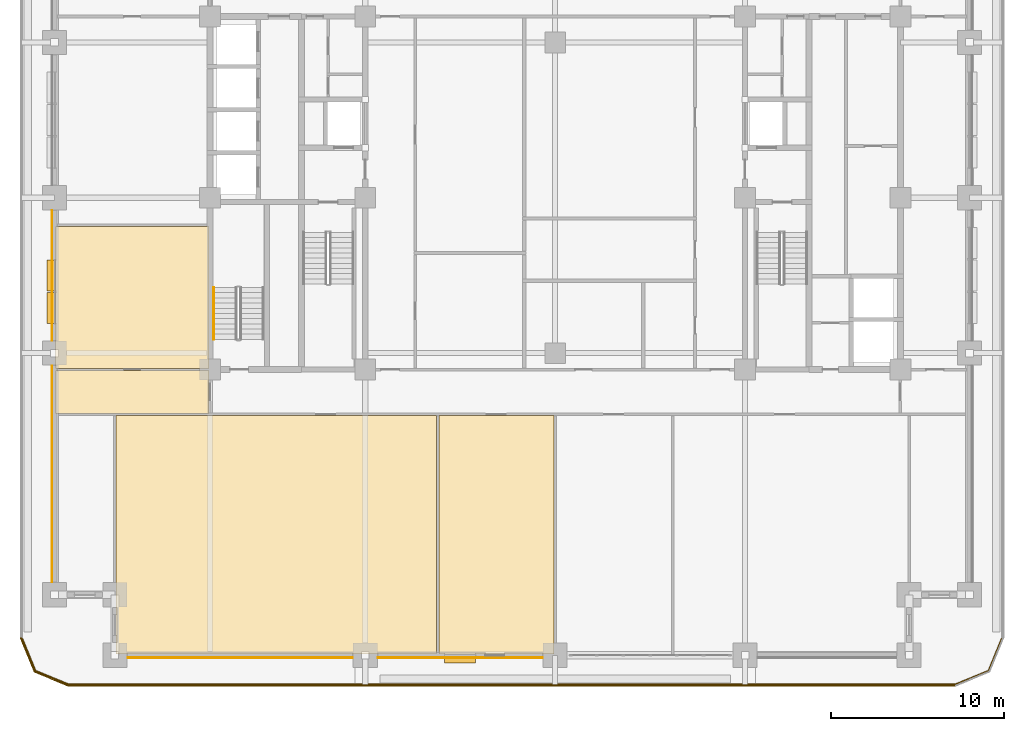
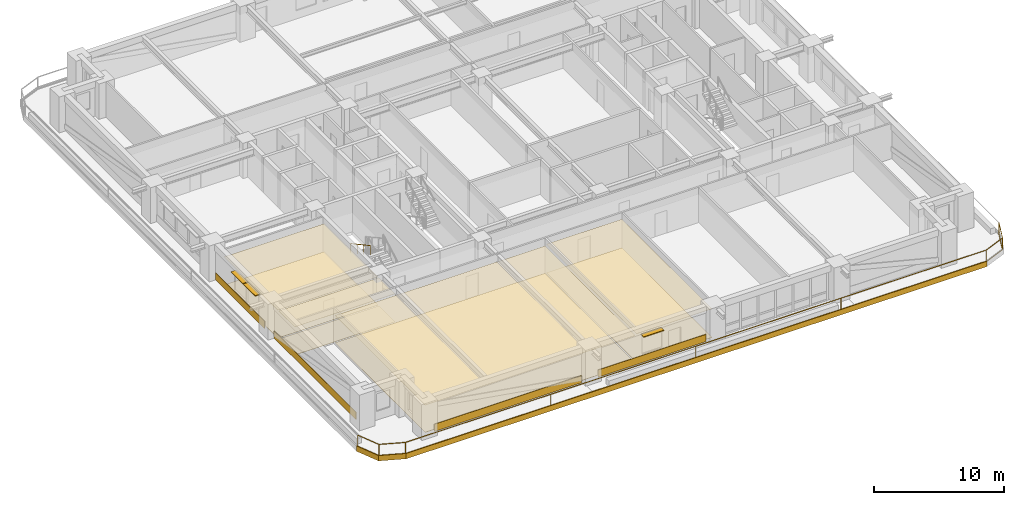
# One storey, part 13 of 20: 15 coverings, 3 shading devices, 2 railings.
"""IFC4 building model written with IfcOpenShell, lengths in metres."""

from ifc_helpers import new_model, si_unit, direction, frame, frame_2d, origin, origin_2d, place, context, subcontext, project, spatial, polyline, rectangle, outline, extrude, material, layer, layer_set, type_object, element, save


model = new_model("IFC4")

# Units and contexts
model_context = context("Model", 3, precision=1e-05, world=origin(), true_north=direction((0.0, 1.0)))
body_context = subcontext(model_context, "Body", "Model", "MODEL_VIEW")
ifc_project = project(units=[si_unit("LENGTHUNIT", "METRE"), si_unit("AREAUNIT", "SQUARE_METRE"), si_unit("VOLUMEUNIT", "CUBIC_METRE"), si_unit("PLANEANGLEUNIT", "RADIAN"), si_unit("MASSUNIT", "GRAM", prefix="KILO")], contexts=[model_context])

# Site, building, storey
site_placement = place(None, origin())
site = spatial("IfcSite", under=ifc_project, at=site_placement, CompositionType="ELEMENT")
building_placement = place(site_placement, origin())
building = spatial("IfcBuilding", under=site, at=building_placement, Name="Zulmaris Gate Convention Tower", CompositionType="ELEMENT")
storey_placement = place(building_placement, frame((0.0, 0.0, 71.469970703125)))
storey = spatial("IfcBuildingStorey", under=building, at=storey_placement, Name="L17", CompositionType="ELEMENT", Elevation=71.469970703125)

# Coverings
ifc_material_1 = material(Name="Precast concrete C40/50", Category="concrete")
ifc_layer_1 = layer(ifc_material_1, 0.0400390625, Name="Precast concrete C40/50")
ifc_layer_set_1 = layer_set([ifc_layer_1], Name="Precast concrete C40/50")
covering_type_1 = type_object("IfcCoveringType", Name="CLAD-SPANDREL-PRECAST", PredefinedType="CLADDING", material=ifc_layer_set_1)
covering_1_placement = place(storey_placement, frame((-24.77001953125, -26.64990234375, 0.0), z_axis=(0.0, 0.0, 1.0), x_axis=(1.0, 0.0, 0.0)))
element("IfcCovering", 1, at=covering_1_placement, inside=storey, type_object=covering_type_1, Name="CLD-L17-S-0_0", PredefinedType="CLADDING", context=body_context, shape_type="SweptSolid", body=[
    extrude(rectangle(XDim=13.0400390625, YDim=0.0400390625, at=frame_2d((6.52001953125, 0.0))), origin(), (0.0, 0.0, 1.0), 0.679931640625),
])
covering_2_placement = place(storey_placement, frame((-10.27001953125, -26.64990234375, 0.0), z_axis=(0.0, 0.0, 1.0), x_axis=(1.0, 0.0, 0.0)))
element("IfcCovering", 2, at=covering_2_placement, inside=storey, type_object=covering_type_1, Name="CLD-L17-S-1_0", PredefinedType="CLADDING", context=body_context, shape_type="SweptSolid", body=[
    extrude(rectangle(XDim=9.5400390625, YDim=0.0400390625, at=frame_2d((4.77001953125, 0.0))), origin(), (0.0, 0.0, 1.0), 0.679931640625),
])
covering_3_placement = place(storey_placement, frame((-29.14990234375, -9.72998046875, 0.0), z_axis=(0.0, 0.0, 1.0), x_axis=(0.0, -1.0, 0.0)))
element("IfcCovering", 3, at=covering_3_placement, inside=storey, type_object=covering_type_1, Name="CLD-L17-W-0_0", PredefinedType="CLADDING", context=body_context, shape_type="SweptSolid", body=[
    extrude(rectangle(XDim=12.5400390625, YDim=0.0400390625, at=frame_2d((6.27001953125, 0.0))), origin(), (0.0, 0.0, 1.0), 0.679931640625),
])
covering_4_placement = place(storey_placement, frame((-29.14990234375, -0.72998046875, 0.0), z_axis=(0.0, 0.0, 1.0), x_axis=(0.0, -1.0, 0.0)))
element("IfcCovering", 4, at=covering_4_placement, inside=storey, type_object=covering_type_1, Name="CLD-L17-W-1_0", PredefinedType="CLADDING", context=body_context, shape_type="SweptSolid", body=[
    extrude(rectangle(XDim=7.5400390625, YDim=0.0400390625, at=frame_2d((3.77001953125, 0.0))), origin(), (0.0, 0.0, 1.0), 0.679931640625),
])
ifc_material_2 = material(Name="White Glazed Architectural Precast Concrete C40/50", Category="concrete")
ifc_layer_2 = layer(ifc_material_2, 0.080078125, Name="White Glazed Architectural Precast Concrete C40/50")
ifc_layer_set_2 = layer_set([ifc_layer_2], Name="White Glazed Architectural Precast Concrete C40/50")
covering_type_2 = type_object("IfcCoveringType", Name="CLAD-TRAY-FASCIA", PredefinedType="CLADDING", material=ifc_layer_set_2)
covering_5_placement = place(storey_placement, frame((-30.962890625, -25.484619140625, -0.364990234375), z_axis=(0.0, 0.0, 1.0), x_axis=(0.382656984709, -0.923890487046, 0.0)))
element("IfcCovering", 5, at=covering_5_placement, inside=storey, type_object=covering_type_2, Name="FSC-L17-TR-00", PredefinedType="CLADDING", context=body_context, shape_type="SweptSolid", body=[
    extrude(rectangle(XDim=2.14306640625, YDim=0.080078125, at=frame_2d((1.071533203125, 0.0))), origin(), (0.0, 0.0, 1.0), 0.5),
])
covering_6_placement = place(storey_placement, frame((-30.16455078125, -27.44287109375, -0.364990234375), z_axis=(0.0, 0.0, 1.0), x_axis=(0.923873803533, -0.382697263049, 0.0)))
element("IfcCovering", 6, at=covering_6_placement, inside=storey, type_object=covering_type_2, Name="FSC-L17-TR-01", PredefinedType="CLADDING", context=body_context, shape_type="SweptSolid", body=[
    extrude(rectangle(XDim=2.142822265625, YDim=0.080078125, at=frame_2d((1.0712890625, 0.0))), origin(), (0.0, 0.0, 1.0), 0.5),
])
covering_7_placement = place(storey_placement, frame((-28.199951171875, -28.260009765625, -0.364990234375), z_axis=(0.0, 0.0, 1.0), x_axis=(1.0, 0.0, 0.0)))
element("IfcCovering", 7, at=covering_7_placement, inside=storey, type_object=covering_type_2, Name="FSC-L17-TR-02", PredefinedType="CLADDING", context=body_context, shape_type="SweptSolid", body=[
    extrude(rectangle(XDim=51.39990234375, YDim=0.080078125, at=frame_2d((25.699951171875, 0.0))), origin(), (0.0, 0.0, 1.0), 0.5),
])
ifc_material_3 = material(Name="Mineral Fibre Acoustic Ceiling Tile")
ifc_layer_3 = layer(ifc_material_3, 0.02001953125, Name="Mineral Fibre Acoustic Ceiling Tile")
ifc_layer_set_3 = layer_set([ifc_layer_3], Name="Mineral Fibre Acoustic Ceiling Tile")
covering_type_3 = type_object("IfcCoveringType", Name="CLG-ACOUSTIC-600", PredefinedType="CEILING", material=ifc_layer_set_3)
covering_8_placement = place(storey_placement, frame((0.0, 0.0, 2.552978515625)))
element("IfcCovering", 8, at=covering_8_placement, inside=storey, type_object=covering_type_3, Name="CLG-L17-R39", PredefinedType="CEILING", context=body_context, shape_type="SweptSolid", body=[
    extrude(outline(polyline([(-25.43994140625, -26.43994140625), (-6.860107421875, -26.43994140625), (-6.860107421875, -12.610107421875), (-25.43994140625, -12.610107421875), (-25.43994140625, -26.43994140625)])), origin(), (0.0, 0.0, 1.0), 0.02001953125),
])
covering_9_placement = place(storey_placement, frame((0.0, 0.0, 2.679931640625)))
element("IfcCovering", 9, at=covering_9_placement, inside=storey, type_object=covering_type_3, Name="CLG-L17-R40", PredefinedType="CEILING", context=body_context, shape_type="SweptSolid", body=[
    extrude(outline(polyline([(-6.739990234375, -26.43994140625), (-0.06005859375, -26.43994140625), (-0.06005859375, -12.610107421875), (-6.739990234375, -12.610107421875), (-6.739990234375, -26.43994140625)])), origin(), (0.0, 0.0, 1.0), 0.02001953125),
])
covering_10_placement = place(storey_placement, frame((0.0, 0.0, 2.6279296875)))
element("IfcCovering", 10, at=covering_10_placement, inside=storey, type_object=covering_type_3, Name="CLG-L17-R50", PredefinedType="CEILING", context=body_context, shape_type="SweptSolid", body=[
    extrude(outline(polyline([(-28.93994140625, -12.489990234375), (-20.06005859375, -12.489990234375), (-20.06005859375, -10.010009765625), (-28.93994140625, -10.010009765625), (-28.93994140625, -12.489990234375)])), origin(), (0.0, 0.0, 1.0), 0.02001953125),
])
covering_11_placement = place(storey_placement, frame((0.0, 0.0, 2.6279296875)))
element("IfcCovering", 11, at=covering_11_placement, inside=storey, type_object=covering_type_3, Name="CLG-L17-R52", PredefinedType="CEILING", context=body_context, shape_type="SweptSolid", body=[
    extrude(outline(polyline([(-28.93994140625, -9.889892578125), (-20.06005859375, -9.889892578125), (-20.06005859375, -1.659912109375), (-28.93994140625, -1.659912109375), (-28.93994140625, -9.889892578125)])), origin(), (0.0, 0.0, 1.0), 0.02001953125),
])
ifc_material_4 = material(Name="Woven Acoustic Wool Carpet Tile")
ifc_layer_4 = layer(ifc_material_4, 0.02001953125, Name="Woven Acoustic Wool Carpet Tile")
ifc_layer_set_4 = layer_set([ifc_layer_4], Name="Woven Acoustic Wool Carpet Tile")
covering_type_4 = type_object("IfcCoveringType", Name="FLR-CARPET-12", PredefinedType="FLOORING", material=ifc_layer_set_4)
covering_12_placement = place(storey_placement, origin())
element("IfcCovering", 12, at=covering_12_placement, inside=storey, type_object=covering_type_4, Name="FLR-L17-R39", PredefinedType="FLOORING", context=body_context, shape_type="SweptSolid", body=[
    extrude(outline(polyline([(-25.43994140625, -26.43994140625), (-6.860107421875, -26.43994140625), (-6.860107421875, -12.610107421875), (-25.43994140625, -12.610107421875), (-25.43994140625, -26.43994140625)])), origin(), (0.0, 0.0, 1.0), 0.02001953125),
])
covering_13_placement = place(storey_placement, origin())
element("IfcCovering", 13, at=covering_13_placement, inside=storey, type_object=covering_type_4, Name="FLR-L17-R50", PredefinedType="FLOORING", context=body_context, shape_type="SweptSolid", body=[
    extrude(outline(polyline([(-28.93994140625, -12.489990234375), (-20.06005859375, -12.489990234375), (-20.06005859375, -10.010009765625), (-28.93994140625, -10.010009765625), (-28.93994140625, -12.489990234375)])), origin(), (0.0, 0.0, 1.0), 0.02001953125),
])
covering_14_placement = place(storey_placement, origin())
element("IfcCovering", 14, at=covering_14_placement, inside=storey, type_object=covering_type_4, Name="FLR-L17-R52", PredefinedType="FLOORING", context=body_context, shape_type="SweptSolid", body=[
    extrude(outline(polyline([(-28.93994140625, -9.889892578125), (-20.06005859375, -9.889892578125), (-20.06005859375, -1.659912109375), (-28.93994140625, -1.659912109375), (-28.93994140625, -9.889892578125)])), origin(), (0.0, 0.0, 1.0), 0.02001953125),
])
ifc_material_5 = material(Name="Engineered Teak Parquet Flooring")
ifc_layer_5 = layer(ifc_material_5, 0.02001953125, Name="Engineered Teak Parquet Flooring")
ifc_layer_set_5 = layer_set([ifc_layer_5], Name="Engineered Teak Parquet Flooring")
covering_type_5 = type_object("IfcCoveringType", Name="FLR-TIMBER-18", PredefinedType="FLOORING", material=ifc_layer_set_5)
covering_15_placement = place(storey_placement, origin())
element("IfcCovering", 15, at=covering_15_placement, inside=storey, type_object=covering_type_5, Name="FLR-L17-R40", PredefinedType="FLOORING", context=body_context, shape_type="SweptSolid", body=[
    extrude(outline(polyline([(-6.739990234375, -26.43994140625), (-0.06005859375, -26.43994140625), (-0.06005859375, -12.610107421875), (-6.739990234375, -12.610107421875), (-6.739990234375, -26.43994140625)])), origin(), (0.0, 0.0, 1.0), 0.02001953125),
])

# Railings
ifc_material_6 = material(Name="Laminated Glass and Stainless Steel", Category="steel")
railing_type_1 = type_object("IfcRailingType", Name="RL-BALC-1150", PredefinedType="BALUSTRADE", material=ifc_material_6)
railing_1_placement = place(storey_placement, frame((-30.8798828125, -25.5, -0.02490234375)))
element("IfcRailing", 16, at=railing_1_placement, inside=storey, type_object=railing_type_1, Name="RL-L17-BALC-S", PredefinedType="BALUSTRADE", context=body_context, shape_type="SweptSolid", body=[
    extrude(rectangle(XDim=0.048095703125, YDim=0.048095703125, at=origin_2d()), frame((0.0, 0.0, 1.1259765625), z_axis=(0.382670664694, -0.92388482095, 0.0), x_axis=(0.92388482095, 0.382670664694, 0.0)), (0.0, 0.0, 1.0), 2.051025390625),
    extrude(rectangle(XDim=0.048095703125, YDim=0.048095703125, at=origin_2d()), frame((0.0, 0.0, 0.02392578125), z_axis=(0.382670664694, -0.92388482095, 0.0), x_axis=(0.92388482095, 0.382670664694, 0.0)), (0.0, 0.0, 1.0), 2.051025390625),
    extrude(rectangle(XDim=0.048095703125, YDim=0.048095703125, at=origin_2d()), frame((0.784912109375, -1.89501953125, 1.1259765625), z_axis=(0.92388482095, -0.382670664694, 0.0), x_axis=(0.382670664694, 0.92388482095, 0.0)), (0.0, 0.0, 1.0), 2.051025390625),
    extrude(rectangle(XDim=0.048095703125, YDim=0.048095703125, at=origin_2d()), frame((0.784912109375, -1.89501953125, 0.02392578125), z_axis=(0.92388482095, -0.382670664694, 0.0), x_axis=(0.382670664694, 0.92388482095, 0.0)), (0.0, 0.0, 1.0), 2.051025390625),
    extrude(rectangle(XDim=0.048095703125, YDim=0.048095703125, at=origin_2d()), frame((2.679931640625, -2.679931640625, 1.1259765625), z_axis=(1.0, 0.0, 0.0), x_axis=(0.0, 1.0, 0.0)), (0.0, 0.0, 1.0), 51.39990234375),
    extrude(rectangle(XDim=0.048095703125, YDim=0.048095703125, at=origin_2d()), frame((2.679931640625, -2.679931640625, 0.02392578125), z_axis=(1.0, 0.0, 0.0), x_axis=(0.0, 1.0, 0.0)), (0.0, 0.0, 1.0), 51.39990234375),
    extrude(rectangle(XDim=0.048095703125, YDim=0.048095703125, at=origin_2d()), frame((54.079833984375, -2.679931640625, 1.1259765625), z_axis=(0.92388482095, 0.382670664694, 0.0), x_axis=(-0.382670664694, 0.92388482095, 0.0)), (0.0, 0.0, 1.0), 2.051025390625),
    extrude(rectangle(XDim=0.048095703125, YDim=0.048095703125, at=origin_2d()), frame((54.079833984375, -2.679931640625, 0.02392578125), z_axis=(0.92388482095, 0.382670664694, 0.0), x_axis=(-0.382670664694, 0.92388482095, 0.0)), (0.0, 0.0, 1.0), 2.051025390625),
    extrude(rectangle(XDim=0.048095703125, YDim=0.048095703125, at=origin_2d()), frame((55.974853515625, -1.89501953125, 1.1259765625), z_axis=(0.382670664694, 0.92388482095, 0.0), x_axis=(-0.92388482095, 0.382670664694, 0.0)), (0.0, 0.0, 1.0), 2.051025390625),
    extrude(rectangle(XDim=0.048095703125, YDim=0.048095703125, at=origin_2d()), frame((55.974853515625, -1.89501953125, 0.02392578125), z_axis=(0.382670664694, 0.92388482095, 0.0), x_axis=(-0.92388482095, 0.382670664694, 0.0)), (0.0, 0.0, 1.0), 2.051025390625),
    extrude(rectangle(XDim=0.0419921875, YDim=0.0419921875, at=origin_2d()), origin(), (0.0, 0.0, 1.0), 1.101806640625),
    extrude(rectangle(XDim=0.0419921875, YDim=0.0419921875, at=origin_2d()), frame((0.784912109375, -1.89501953125, 0.0)), (0.0, 0.0, 1.0), 1.101806640625),
    extrude(rectangle(XDim=0.0419921875, YDim=0.0419921875, at=origin_2d()), frame((2.679931640625, -2.679931640625, 0.0)), (0.0, 0.0, 1.0), 1.101806640625),
    extrude(rectangle(XDim=0.0419921875, YDim=0.0419921875, at=origin_2d()), frame((15.52978515625, -2.679931640625, 0.0)), (0.0, 0.0, 1.0), 1.101806640625),
    extrude(rectangle(XDim=0.0419921875, YDim=0.0419921875, at=origin_2d()), frame((28.3798828125, -2.679931640625, 0.0)), (0.0, 0.0, 1.0), 1.101806640625),
    extrude(rectangle(XDim=0.0419921875, YDim=0.0419921875, at=origin_2d()), frame((41.22998046875, -2.679931640625, 0.0)), (0.0, 0.0, 1.0), 1.101806640625),
    extrude(rectangle(XDim=0.0419921875, YDim=0.0419921875, at=origin_2d()), frame((54.079833984375, -2.679931640625, 0.0)), (0.0, 0.0, 1.0), 1.101806640625),
    extrude(rectangle(XDim=0.0419921875, YDim=0.0419921875, at=origin_2d()), frame((55.974853515625, -1.89501953125, 0.0)), (0.0, 0.0, 1.0), 1.101806640625),
    extrude(rectangle(XDim=0.0419921875, YDim=0.0419921875, at=origin_2d()), frame((56.759765625, 0.0, 0.0)), (0.0, 0.0, 1.0), 1.101806640625),
])
ifc_material_7 = material(Name="Brushed Stainless Steel", Category="steel")
railing_type_2 = type_object("IfcRailingType", Name="RL-STH-900", PredefinedType="HANDRAIL", material=ifc_material_7)
railing_2_placement = place(storey_placement, frame((-19.77001953125, -5.199951171875, 1.947265625)))
element("IfcRailing", 17, at=railing_2_placement, inside=storey, type_object=railing_type_2, Name="L17 ST-3 stair handrail 2", PredefinedType="HANDRAIL", context=body_context, shape_type="SweptSolid", body=[
    extrude(rectangle(XDim=0.048095703125, YDim=0.048095703125, at=origin_2d()), frame((0.0, 0.0, 0.8759765625), z_axis=(0.0, -0.8795616155, 0.475784998228), x_axis=(1.0, 0.0, 0.0)), (0.0, 0.0, 1.0), 3.410888671875),
    extrude(rectangle(XDim=0.0419921875, YDim=0.0419921875, at=origin_2d()), origin(), (0.0, 0.0, 1.0), 0.851806640625),
    extrude(rectangle(XDim=0.0419921875, YDim=0.0419921875, at=origin_2d()), frame((0.0, -1.0, 0.541015625)), (0.0, 0.0, 1.0), 0.851806640625),
    extrude(rectangle(XDim=0.0419921875, YDim=0.0419921875, at=origin_2d()), frame((0.0, -2.0, 1.081787109375)), (0.0, 0.0, 1.0), 0.851806640625),
    extrude(rectangle(XDim=0.0419921875, YDim=0.0419921875, at=origin_2d()), frame((0.0, -3.0, 1.622802734375)), (0.0, 0.0, 1.0), 0.851806640625),
])

# Shading devices
ifc_material_8 = material(Name="Glazed Ceramic Terracotta", Category="masonry")
ifc_layer_6 = layer(ifc_material_8, 0.070068359375, Name="Glazed Ceramic Terracotta")
ifc_layer_set_6 = layer_set([ifc_layer_6], Name="Glazed Ceramic Terracotta")
shading_device_type = type_object("IfcShadingDeviceType", Name="SHD-SUNSHADE-TC", PredefinedType="AWNING", material=ifc_layer_set_6)
for number, where, z_axis, x_axis, name in (
    (18, (-6.39990234375, -26.719970703125, 2.530029296875), (0.0, 0.0, 1.0), (1.0, 0.0, 0.0), "SHD-EW-L17-S-1_0-2"),
    (19, (-29.219970703125, -3.60009765625, 2.530029296875), (0.0, 0.0, 1.0), (0.0, -1.0, 0.0), "SHD-EW-L17-W-1_0-2"),
    (20, (-29.219970703125, -5.485107421875, 2.530029296875), (0.0, 0.0, 1.0), (0.0, -1.0, 0.0), "SHD-EW-L17-W-1_0-3"),
):
    element("IfcShadingDevice", number, at=place(storey_placement, frame(where, z_axis=z_axis, x_axis=x_axis)), inside=storey, type_object=shading_device_type, Name=name, PredefinedType="AWNING", context=body_context, shape_type="SweptSolid", body=[
        extrude(rectangle(XDim=1.7998046875, YDim=0.43994140625, at=frame_2d((0.89990234375, 0.0))), origin(), (0.0, 0.0, 1.0), 0.070068359375),
    ])

save(model, "model.ifc")
